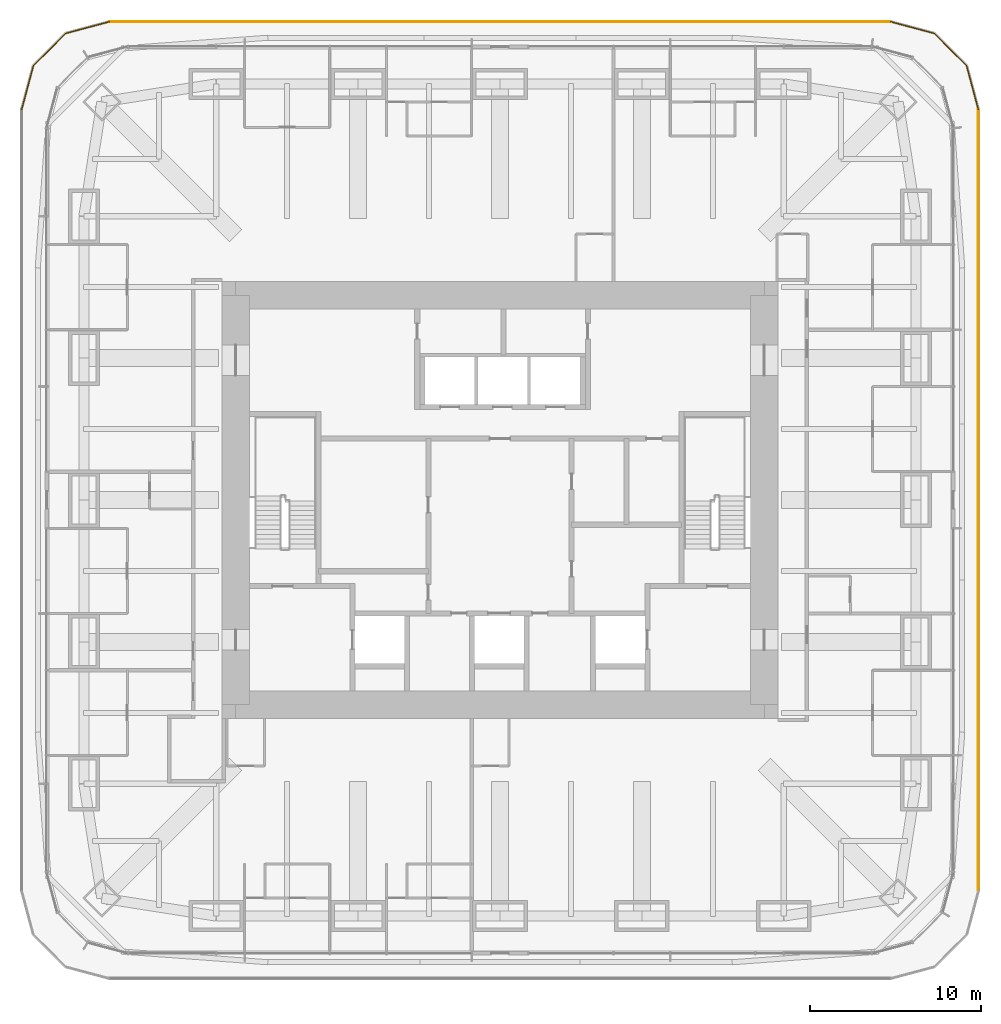
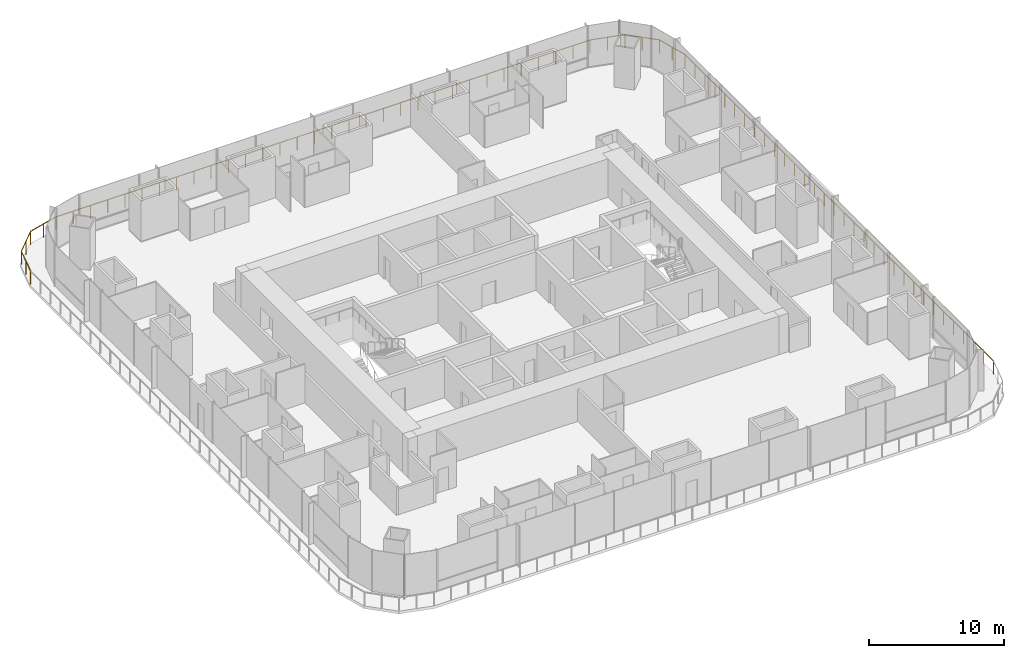
# One storey, part 15 of 15: 4 railings.
"""IFC4 building model written with IfcOpenShell, lengths in metres."""

from ifc_helpers import new_model, si_unit, direction, frame, origin, origin_2d, place, context, subcontext, project, spatial, circle, extrude, material, type_object, element, save


model = new_model("IFC4")

# Units and contexts
model_context = context("Model", 3, precision=1e-05, world=origin(), true_north=direction((0.0, 1.0)))
body_context = subcontext(model_context, "Body", "Model", "MODEL_VIEW")
ifc_project = project(units=[si_unit("LENGTHUNIT", "METRE"), si_unit("AREAUNIT", "SQUARE_METRE"), si_unit("VOLUMEUNIT", "CUBIC_METRE"), si_unit("PLANEANGLEUNIT", "RADIAN"), si_unit("MASSUNIT", "GRAM", prefix="KILO")], contexts=[model_context])

# Site, building, storey
site_placement = place(None, origin())
site = spatial("IfcSite", under=ifc_project, at=site_placement, CompositionType="ELEMENT")
building_placement = place(site_placement, origin())
building = spatial("IfcBuilding", under=site, at=building_placement, Name="Khuree Lantern Residences", CompositionType="ELEMENT")
storey_placement = place(building_placement, frame((0.0, 0.0, 199.5)))
storey = spatial("IfcBuildingStorey", under=building, at=storey_placement, Name="L49", CompositionType="ELEMENT", Elevation=199.5)

# Railings
ifc_material = material(Name="Toughened laminated glass balustrade with bronze anodised aluminium top rail", Category="aluminium")
railing_type = type_object("IfcRailingType", Name="TERRACE GUARD G1 1200", PredefinedType="GUARDRAIL", material=ifc_material)
railing_1_placement = place(storey_placement, frame((28.050048828125, -22.89990234375, 0.0)))
element("IfcRailing", 1, at=railing_1_placement, inside=storey, type_object=railing_type, Name="L49 EAST FACE TERRACE GUARD", PredefinedType="GUARDRAIL", context=body_context, shape_type="SweptSolid", body=[
    extrude(circle(Radius=0.02392578125, at=origin_2d()), frame((0.0, 0.0, 1.17626953125), z_axis=(0.0, 1.0, 0.0), x_axis=(-1.0, 0.0, 0.0)), (0.0, 0.0, 1.0), 45.7998046875),
    extrude(circle(Radius=0.02099609375, at=origin_2d()), origin(), (0.0, 0.0, 1.0), 1.152099609375),
    extrude(circle(Radius=0.02099609375, at=origin_2d()), frame((0.0, 1.477294921875, 0.0)), (0.0, 0.0, 1.0), 1.152099609375),
    extrude(circle(Radius=0.02099609375, at=origin_2d()), frame((0.0, 2.954833984375, 0.0)), (0.0, 0.0, 1.0), 1.152099609375),
    extrude(circle(Radius=0.02099609375, at=origin_2d()), frame((0.0, 4.43212890625, 0.0)), (0.0, 0.0, 1.0), 1.152099609375),
    extrude(circle(Radius=0.02099609375, at=origin_2d()), frame((0.0, 5.90966796875, 0.0)), (0.0, 0.0, 1.0), 1.152099609375),
    extrude(circle(Radius=0.02099609375, at=origin_2d()), frame((0.0, 7.386962890625, 0.0)), (0.0, 0.0, 1.0), 1.152099609375),
    extrude(circle(Radius=0.02099609375, at=origin_2d()), frame((0.0, 8.864501953125, 0.0)), (0.0, 0.0, 1.0), 1.152099609375),
    extrude(circle(Radius=0.02099609375, at=origin_2d()), frame((0.0, 10.341796875, 0.0)), (0.0, 0.0, 1.0), 1.152099609375),
    extrude(circle(Radius=0.02099609375, at=origin_2d()), frame((0.0, 11.8193359375, 0.0)), (0.0, 0.0, 1.0), 1.152099609375),
    extrude(circle(Radius=0.02099609375, at=origin_2d()), frame((0.0, 13.296630859375, 0.0)), (0.0, 0.0, 1.0), 1.152099609375),
    extrude(circle(Radius=0.02099609375, at=origin_2d()), frame((0.0, 14.774169921875, 0.0)), (0.0, 0.0, 1.0), 1.152099609375),
    extrude(circle(Radius=0.02099609375, at=origin_2d()), frame((0.0, 16.25146484375, 0.0)), (0.0, 0.0, 1.0), 1.152099609375),
    extrude(circle(Radius=0.02099609375, at=origin_2d()), frame((0.0, 17.72900390625, 0.0)), (0.0, 0.0, 1.0), 1.152099609375),
    extrude(circle(Radius=0.02099609375, at=origin_2d()), frame((0.0, 19.206298828125, 0.0)), (0.0, 0.0, 1.0), 1.152099609375),
    extrude(circle(Radius=0.02099609375, at=origin_2d()), frame((0.0, 20.683837890625, 0.0)), (0.0, 0.0, 1.0), 1.152099609375),
    extrude(circle(Radius=0.02099609375, at=origin_2d()), frame((0.0, 22.1611328125, 0.0)), (0.0, 0.0, 1.0), 1.152099609375),
    extrude(circle(Radius=0.02099609375, at=origin_2d()), frame((0.0, 23.638671875, 0.0)), (0.0, 0.0, 1.0), 1.152099609375),
    extrude(circle(Radius=0.02099609375, at=origin_2d()), frame((0.0, 25.115966796875, 0.0)), (0.0, 0.0, 1.0), 1.152099609375),
    extrude(circle(Radius=0.02099609375, at=origin_2d()), frame((0.0, 26.593505859375, 0.0)), (0.0, 0.0, 1.0), 1.152099609375),
    extrude(circle(Radius=0.02099609375, at=origin_2d()), frame((0.0, 28.07080078125, 0.0)), (0.0, 0.0, 1.0), 1.152099609375),
    extrude(circle(Radius=0.02099609375, at=origin_2d()), frame((0.0, 29.54833984375, 0.0)), (0.0, 0.0, 1.0), 1.152099609375),
    extrude(circle(Radius=0.02099609375, at=origin_2d()), frame((0.0, 31.025634765625, 0.0)), (0.0, 0.0, 1.0), 1.152099609375),
    extrude(circle(Radius=0.02099609375, at=origin_2d()), frame((0.0, 32.503173828125, 0.0)), (0.0, 0.0, 1.0), 1.152099609375),
    extrude(circle(Radius=0.02099609375, at=origin_2d()), frame((0.0, 33.98046875, 0.0)), (0.0, 0.0, 1.0), 1.152099609375),
    extrude(circle(Radius=0.02099609375, at=origin_2d()), frame((0.0, 35.4580078125, 0.0)), (0.0, 0.0, 1.0), 1.152099609375),
    extrude(circle(Radius=0.02099609375, at=origin_2d()), frame((0.0, 36.935302734375, 0.0)), (0.0, 0.0, 1.0), 1.152099609375),
    extrude(circle(Radius=0.02099609375, at=origin_2d()), frame((0.0, 38.412841796875, 0.0)), (0.0, 0.0, 1.0), 1.152099609375),
    extrude(circle(Radius=0.02099609375, at=origin_2d()), frame((0.0, 39.89013671875, 0.0)), (0.0, 0.0, 1.0), 1.152099609375),
    extrude(circle(Radius=0.02099609375, at=origin_2d()), frame((0.0, 41.36767578125, 0.0)), (0.0, 0.0, 1.0), 1.152099609375),
    extrude(circle(Radius=0.02099609375, at=origin_2d()), frame((0.0, 42.844970703125, 0.0)), (0.0, 0.0, 1.0), 1.152099609375),
    extrude(circle(Radius=0.02099609375, at=origin_2d()), frame((0.0, 44.322509765625, 0.0)), (0.0, 0.0, 1.0), 1.152099609375),
    extrude(circle(Radius=0.02099609375, at=origin_2d()), frame((0.0, 45.7998046875, 0.0)), (0.0, 0.0, 1.0), 1.152099609375),
])
railing_2_placement = place(storey_placement, frame((28.050048828125, 22.89990234375, 0.0)))
element("IfcRailing", 2, at=railing_2_placement, inside=storey, type_object=railing_type, Name="L49 NORTH-EAST CORNER TERRACE GUARD", PredefinedType="GUARDRAIL", context=body_context, shape_type="SweptSolid", body=[
    extrude(circle(Radius=0.02392578125, at=origin_2d()), frame((0.0, 0.0, 1.17626953125), z_axis=(-0.258791013471, 0.965933336906, 0.0), x_axis=(-0.965933336906, -0.258791013471, 0.0)), (0.0, 0.0, 1.0), 2.666015625),
    extrude(circle(Radius=0.02392578125, at=origin_2d()), frame((-0.68994140625, 2.5751953125, 1.17626953125), z_axis=(-0.707106781187, 0.707106781187, 0.0), x_axis=(-0.707106781187, -0.707106781187, 0.0)), (0.0, 0.0, 1.0), 2.665771484375),
    extrude(circle(Radius=0.02392578125, at=origin_2d()), frame((-2.574951171875, 4.460205078125, 1.17626953125), z_axis=(-0.965933336906, 0.258791013471, 0.0), x_axis=(-0.258791013471, -0.965933336906, 0.0)), (0.0, 0.0, 1.0), 2.666015625),
    extrude(circle(Radius=0.02099609375, at=origin_2d()), origin(), (0.0, 0.0, 1.0), 1.152099609375),
    extrude(circle(Radius=0.02099609375, at=origin_2d()), frame((-0.344970703125, 1.28759765625, 0.0)), (0.0, 0.0, 1.0), 1.152099609375),
    extrude(circle(Radius=0.02099609375, at=origin_2d()), frame((-0.68994140625, 2.5751953125, 0.0)), (0.0, 0.0, 1.0), 1.152099609375),
    extrude(circle(Radius=0.02099609375, at=origin_2d()), frame((-1.63232421875, 3.517578125, 0.0)), (0.0, 0.0, 1.0), 1.152099609375),
    extrude(circle(Radius=0.02099609375, at=origin_2d()), frame((-2.574951171875, 4.460205078125, 0.0)), (0.0, 0.0, 1.0), 1.152099609375),
    extrude(circle(Radius=0.02099609375, at=origin_2d()), frame((-3.862548828125, 4.80517578125, 0.0)), (0.0, 0.0, 1.0), 1.152099609375),
    extrude(circle(Radius=0.02099609375, at=origin_2d()), frame((-5.150146484375, 5.150146484375, 0.0)), (0.0, 0.0, 1.0), 1.152099609375),
])
railing_3_placement = place(storey_placement, frame((22.89990234375, 28.050048828125, 0.0)))
element("IfcRailing", 3, at=railing_3_placement, inside=storey, type_object=railing_type, Name="L49 NORTH FACE TERRACE GUARD", PredefinedType="GUARDRAIL", context=body_context, shape_type="SweptSolid", body=[
    extrude(circle(Radius=0.02392578125, at=origin_2d()), frame((0.0, 0.0, 1.17626953125), z_axis=(-1.0, 0.0, 0.0), x_axis=(0.0, -1.0, 0.0)), (0.0, 0.0, 1.0), 45.7998046875),
    extrude(circle(Radius=0.02099609375, at=origin_2d()), origin(), (0.0, 0.0, 1.0), 1.152099609375),
    extrude(circle(Radius=0.02099609375, at=origin_2d()), frame((-1.477294921875, 0.0, 0.0)), (0.0, 0.0, 1.0), 1.152099609375),
    extrude(circle(Radius=0.02099609375, at=origin_2d()), frame((-2.954833984375, 0.0, 0.0)), (0.0, 0.0, 1.0), 1.152099609375),
    extrude(circle(Radius=0.02099609375, at=origin_2d()), frame((-4.43212890625, 0.0, 0.0)), (0.0, 0.0, 1.0), 1.152099609375),
    extrude(circle(Radius=0.02099609375, at=origin_2d()), frame((-5.90966796875, 0.0, 0.0)), (0.0, 0.0, 1.0), 1.152099609375),
    extrude(circle(Radius=0.02099609375, at=origin_2d()), frame((-7.386962890625, 0.0, 0.0)), (0.0, 0.0, 1.0), 1.152099609375),
    extrude(circle(Radius=0.02099609375, at=origin_2d()), frame((-8.864501953125, 0.0, 0.0)), (0.0, 0.0, 1.0), 1.152099609375),
    extrude(circle(Radius=0.02099609375, at=origin_2d()), frame((-10.341796875, 0.0, 0.0)), (0.0, 0.0, 1.0), 1.152099609375),
    extrude(circle(Radius=0.02099609375, at=origin_2d()), frame((-11.8193359375, 0.0, 0.0)), (0.0, 0.0, 1.0), 1.152099609375),
    extrude(circle(Radius=0.02099609375, at=origin_2d()), frame((-13.296630859375, 0.0, 0.0)), (0.0, 0.0, 1.0), 1.152099609375),
    extrude(circle(Radius=0.02099609375, at=origin_2d()), frame((-14.774169921875, 0.0, 0.0)), (0.0, 0.0, 1.0), 1.152099609375),
    extrude(circle(Radius=0.02099609375, at=origin_2d()), frame((-16.25146484375, 0.0, 0.0)), (0.0, 0.0, 1.0), 1.152099609375),
    extrude(circle(Radius=0.02099609375, at=origin_2d()), frame((-17.72900390625, 0.0, 0.0)), (0.0, 0.0, 1.0), 1.152099609375),
    extrude(circle(Radius=0.02099609375, at=origin_2d()), frame((-19.206298828125, 0.0, 0.0)), (0.0, 0.0, 1.0), 1.152099609375),
    extrude(circle(Radius=0.02099609375, at=origin_2d()), frame((-20.683837890625, 0.0, 0.0)), (0.0, 0.0, 1.0), 1.152099609375),
    extrude(circle(Radius=0.02099609375, at=origin_2d()), frame((-22.1611328125, 0.0, 0.0)), (0.0, 0.0, 1.0), 1.152099609375),
    extrude(circle(Radius=0.02099609375, at=origin_2d()), frame((-23.638671875, 0.0, 0.0)), (0.0, 0.0, 1.0), 1.152099609375),
    extrude(circle(Radius=0.02099609375, at=origin_2d()), frame((-25.115966796875, 0.0, 0.0)), (0.0, 0.0, 1.0), 1.152099609375),
    extrude(circle(Radius=0.02099609375, at=origin_2d()), frame((-26.593505859375, 0.0, 0.0)), (0.0, 0.0, 1.0), 1.152099609375),
    extrude(circle(Radius=0.02099609375, at=origin_2d()), frame((-28.07080078125, 0.0, 0.0)), (0.0, 0.0, 1.0), 1.152099609375),
    extrude(circle(Radius=0.02099609375, at=origin_2d()), frame((-29.54833984375, 0.0, 0.0)), (0.0, 0.0, 1.0), 1.152099609375),
    extrude(circle(Radius=0.02099609375, at=origin_2d()), frame((-31.025634765625, 0.0, 0.0)), (0.0, 0.0, 1.0), 1.152099609375),
    extrude(circle(Radius=0.02099609375, at=origin_2d()), frame((-32.503173828125, 0.0, 0.0)), (0.0, 0.0, 1.0), 1.152099609375),
    extrude(circle(Radius=0.02099609375, at=origin_2d()), frame((-33.98046875, 0.0, 0.0)), (0.0, 0.0, 1.0), 1.152099609375),
    extrude(circle(Radius=0.02099609375, at=origin_2d()), frame((-35.4580078125, 0.0, 0.0)), (0.0, 0.0, 1.0), 1.152099609375),
    extrude(circle(Radius=0.02099609375, at=origin_2d()), frame((-36.935302734375, 0.0, 0.0)), (0.0, 0.0, 1.0), 1.152099609375),
    extrude(circle(Radius=0.02099609375, at=origin_2d()), frame((-38.412841796875, 0.0, 0.0)), (0.0, 0.0, 1.0), 1.152099609375),
    extrude(circle(Radius=0.02099609375, at=origin_2d()), frame((-39.89013671875, 0.0, 0.0)), (0.0, 0.0, 1.0), 1.152099609375),
    extrude(circle(Radius=0.02099609375, at=origin_2d()), frame((-41.36767578125, 0.0, 0.0)), (0.0, 0.0, 1.0), 1.152099609375),
    extrude(circle(Radius=0.02099609375, at=origin_2d()), frame((-42.844970703125, 0.0, 0.0)), (0.0, 0.0, 1.0), 1.152099609375),
    extrude(circle(Radius=0.02099609375, at=origin_2d()), frame((-44.322509765625, 0.0, 0.0)), (0.0, 0.0, 1.0), 1.152099609375),
    extrude(circle(Radius=0.02099609375, at=origin_2d()), frame((-45.7998046875, 0.0, 0.0)), (0.0, 0.0, 1.0), 1.152099609375),
])
railing_4_placement = place(storey_placement, frame((-22.89990234375, 28.050048828125, 0.0)))
element("IfcRailing", 4, at=railing_4_placement, inside=storey, type_object=railing_type, Name="L49 NORTH-WEST CORNER TERRACE GUARD", PredefinedType="GUARDRAIL", context=body_context, shape_type="SweptSolid", body=[
    extrude(circle(Radius=0.02392578125, at=origin_2d()), frame((0.0, 0.0, 1.17626953125), z_axis=(-0.965933336906, -0.258791013471, 0.0), x_axis=(0.258791013471, -0.965933336906, 0.0)), (0.0, 0.0, 1.0), 2.666015625),
    extrude(circle(Radius=0.02392578125, at=origin_2d()), frame((-2.5751953125, -0.68994140625, 1.17626953125), z_axis=(-0.707106781187, -0.707106781187, 0.0), x_axis=(0.707106781187, -0.707106781187, 0.0)), (0.0, 0.0, 1.0), 2.665771484375),
    extrude(circle(Radius=0.02392578125, at=origin_2d()), frame((-4.460205078125, -2.574951171875, 1.17626953125), z_axis=(-0.258791013471, -0.965933336906, 0.0), x_axis=(0.965933336906, -0.258791013471, 0.0)), (0.0, 0.0, 1.0), 2.666015625),
    extrude(circle(Radius=0.02099609375, at=origin_2d()), origin(), (0.0, 0.0, 1.0), 1.152099609375),
    extrude(circle(Radius=0.02099609375, at=origin_2d()), frame((-1.28759765625, -0.344970703125, 0.0)), (0.0, 0.0, 1.0), 1.152099609375),
    extrude(circle(Radius=0.02099609375, at=origin_2d()), frame((-2.5751953125, -0.68994140625, 0.0)), (0.0, 0.0, 1.0), 1.152099609375),
    extrude(circle(Radius=0.02099609375, at=origin_2d()), frame((-3.517578125, -1.63232421875, 0.0)), (0.0, 0.0, 1.0), 1.152099609375),
    extrude(circle(Radius=0.02099609375, at=origin_2d()), frame((-4.460205078125, -2.574951171875, 0.0)), (0.0, 0.0, 1.0), 1.152099609375),
    extrude(circle(Radius=0.02099609375, at=origin_2d()), frame((-4.80517578125, -3.862548828125, 0.0)), (0.0, 0.0, 1.0), 1.152099609375),
    extrude(circle(Radius=0.02099609375, at=origin_2d()), frame((-5.150146484375, -5.150146484375, 0.0)), (0.0, 0.0, 1.0), 1.152099609375),
])

save(model, "model.ifc")
